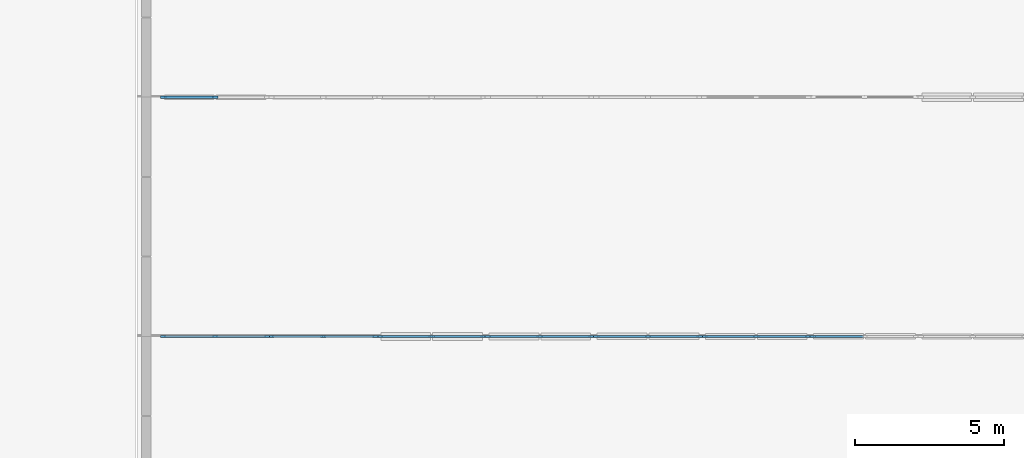
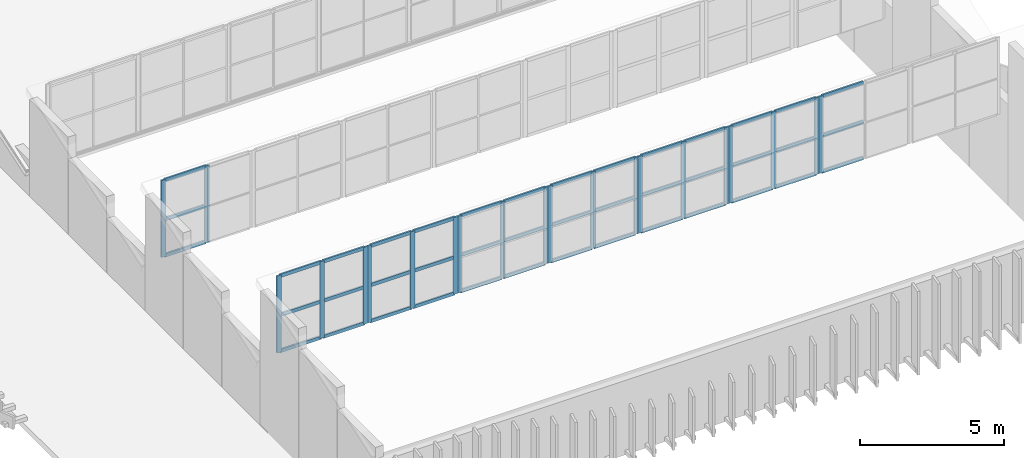
# One storey, part 4 of 45: 63 members, 8 elements without a shape of their own.
"""IFC4 building model written with IfcOpenShell, lengths in metres."""

from ifc_helpers import new_model, si_unit, direction, frame, origin, origin_2d, place, context, subcontext, project, spatial, rectangle, extrude, material, layer, layer_set, material_profile, profile_set, type_object, element, aggregate, save


model = new_model("IFC4")

# Units and contexts
model_context = context("Model", 3, precision=1e-05, world=origin(), true_north=direction((0.0, 1.0)))
body_context = subcontext(model_context, "Body", "Model", "MODEL_VIEW")
ifc_project = project(units=[si_unit("LENGTHUNIT", "METRE"), si_unit("AREAUNIT", "SQUARE_METRE"), si_unit("VOLUMEUNIT", "CUBIC_METRE"), si_unit("PLANEANGLEUNIT", "RADIAN"), si_unit("MASSUNIT", "GRAM", prefix="KILO")], contexts=[model_context])

# Site, building, storey
site_placement = place(None, origin())
site = spatial("IfcSite", under=ifc_project, at=site_placement, CompositionType="ELEMENT")
building_placement = place(site_placement, origin())
building = spatial("IfcBuilding", under=site, at=building_placement, Name="Cinchona Park Media Centre", CompositionType="ELEMENT")
storey_placement = place(building_placement, frame((0.0, 0.0, 20.39990234375)))
storey = spatial("IfcBuildingStorey", under=building, at=storey_placement, Name="L04", CompositionType="ELEMENT", Elevation=20.39990234375)

# Curtain wall, member
ifc_material_1 = material(Name="Aluminium Curtain Wall Framing", Category="aluminium")
ifc_layer = layer(ifc_material_1, 0.31494140625)
ifc_layer_set = layer_set([ifc_layer], Name="Aluminium Curtain Wall Framing")
curtain_wall_type = type_object("IfcCurtainWallType", Name="CW-CW10", PredefinedType="USERDEFINED", material=ifc_layer_set)
curtain_wall_1_placement = place(storey_placement, origin())
curtain_wall_1 = element("IfcCurtainWall", 1, at=curtain_wall_1_placement, inside=storey, type_object=curtain_wall_type, Name="North-Light Sawtooth Clerestory V1 Bay 1.2 CW10 L04", ObjectType="UNITISED CURTAIN WALL", PredefinedType="USERDEFINED")
ifc_material_2 = material(Name="Anodised Aluminium Alloy 6063-T6", Category="aluminium")
ifc_material_profile_1 = material_profile(ifc_material_2, rectangle(XDim=0.070068359375, YDim=0.179931640625, at=origin_2d()), Name="MUL-70X180")
ifc_profile_set_1 = profile_set([ifc_material_profile_1], Name="Anodised Aluminium Alloy 6063-T6")
member_type_1 = type_object("IfcMemberType", Name="MULLION-MUL02", PredefinedType="MULLION", material=ifc_profile_set_1)
member_1_placement = place(storey_placement, frame((37.695068359375, 15.60009765625, 2.580078125), z_axis=(0.0, 0.0, 1.0), x_axis=(0.0, -1.0, 0.0)))
member_1 = element("IfcMember", 2, at=member_1_placement, type_object=member_type_1, Name="CW10 mullion 3", PredefinedType="MULLION", context=body_context, shape_type="SweptSolid", body=[
    extrude(rectangle(XDim=0.070068359375, YDim=0.179931640625, at=origin_2d()), origin(), (0.0, 0.0, 1.0), 3.257080078125),
])

# Curtain wall, members
curtain_wall_2_placement = place(storey_placement, origin())
curtain_wall_2 = element("IfcCurtainWall", 3, at=curtain_wall_2_placement, inside=storey, type_object=curtain_wall_type, Name="North-Light Sawtooth Clerestory V1 Bay 1.3 CW10 L04", ObjectType="UNITISED CURTAIN WALL", PredefinedType="USERDEFINED")
member_2_placement = place(storey_placement, frame((37.544921875, 15.60009765625, 2.580078125), z_axis=(0.0, 0.0, 1.0), x_axis=(0.0, -1.0, 0.0)))
member_2 = element("IfcMember", 4, at=member_2_placement, type_object=member_type_1, Name="CW10 mullion 1", PredefinedType="MULLION", context=body_context, shape_type="SweptSolid", body=[
    extrude(rectangle(XDim=0.070068359375, YDim=0.179931640625, at=origin_2d()), origin(), (0.0, 0.0, 1.0), 3.257080078125),
])
member_3_placement = place(storey_placement, frame((35.81005859375, 15.60009765625, 2.580078125), z_axis=(0.0, 0.0, 1.0), x_axis=(0.0, -1.0, 0.0)))
member_3 = element("IfcMember", 5, at=member_3_placement, type_object=member_type_1, Name="CW10 mullion 2", PredefinedType="MULLION", context=body_context, shape_type="SweptSolid", body=[
    extrude(rectangle(XDim=0.070068359375, YDim=0.179931640625, at=origin_2d()), origin(), (0.0, 0.0, 1.0), 3.257080078125),
])
member_4_placement = place(storey_placement, frame((34.074951171875, 15.60009765625, 2.580078125), z_axis=(0.0, 0.0, 1.0), x_axis=(0.0, -1.0, 0.0)))
member_4 = element("IfcMember", 6, at=member_4_placement, type_object=member_type_1, Name="CW10 mullion 3", PredefinedType="MULLION", context=body_context, shape_type="SweptSolid", body=[
    extrude(rectangle(XDim=0.070068359375, YDim=0.179931640625, at=origin_2d()), origin(), (0.0, 0.0, 1.0), 3.257080078125),
])

curtain_wall_3_placement = place(storey_placement, origin())
curtain_wall_3 = element("IfcCurtainWall", 7, at=curtain_wall_3_placement, inside=storey, type_object=curtain_wall_type, Name="North-Light Sawtooth Clerestory V1 Bay 1.4 CW10 L04", ObjectType="UNITISED CURTAIN WALL", PredefinedType="USERDEFINED")
member_5_placement = place(storey_placement, frame((33.925048828125, 15.60009765625, 2.580078125), z_axis=(0.0, 0.0, 1.0), x_axis=(0.0, -1.0, 0.0)))
member_5 = element("IfcMember", 8, at=member_5_placement, type_object=member_type_1, Name="CW10 mullion 1", PredefinedType="MULLION", context=body_context, shape_type="SweptSolid", body=[
    extrude(rectangle(XDim=0.070068359375, YDim=0.179931640625, at=origin_2d()), origin(), (0.0, 0.0, 1.0), 3.257080078125),
])
member_6_placement = place(storey_placement, frame((32.18994140625, 15.60009765625, 2.580078125), z_axis=(0.0, 0.0, 1.0), x_axis=(0.0, -1.0, 0.0)))
member_6 = element("IfcMember", 9, at=member_6_placement, type_object=member_type_1, Name="CW10 mullion 2", PredefinedType="MULLION", context=body_context, shape_type="SweptSolid", body=[
    extrude(rectangle(XDim=0.070068359375, YDim=0.179931640625, at=origin_2d()), origin(), (0.0, 0.0, 1.0), 3.257080078125),
])
member_7_placement = place(storey_placement, frame((30.455078125, 15.60009765625, 2.580078125), z_axis=(0.0, 0.0, 1.0), x_axis=(0.0, -1.0, 0.0)))
member_7 = element("IfcMember", 10, at=member_7_placement, type_object=member_type_1, Name="CW10 mullion 3", PredefinedType="MULLION", context=body_context, shape_type="SweptSolid", body=[
    extrude(rectangle(XDim=0.070068359375, YDim=0.179931640625, at=origin_2d()), origin(), (0.0, 0.0, 1.0), 3.257080078125),
])

curtain_wall_4_placement = place(storey_placement, origin())
curtain_wall_4 = element("IfcCurtainWall", 11, at=curtain_wall_4_placement, inside=storey, type_object=curtain_wall_type, Name="North-Light Sawtooth Clerestory V1 Bay 1.5 CW10 L04", ObjectType="UNITISED CURTAIN WALL", PredefinedType="USERDEFINED")
member_8_placement = place(storey_placement, frame((30.304931640625, 15.60009765625, 2.580078125), z_axis=(0.0, 0.0, 1.0), x_axis=(0.0, -1.0, 0.0)))
member_8 = element("IfcMember", 12, at=member_8_placement, type_object=member_type_1, Name="CW10 mullion 1", PredefinedType="MULLION", context=body_context, shape_type="SweptSolid", body=[
    extrude(rectangle(XDim=0.070068359375, YDim=0.179931640625, at=origin_2d()), origin(), (0.0, 0.0, 1.0), 3.257080078125),
])
member_9_placement = place(storey_placement, frame((28.570068359375, 15.60009765625, 2.580078125), z_axis=(0.0, 0.0, 1.0), x_axis=(0.0, -1.0, 0.0)))
member_9 = element("IfcMember", 13, at=member_9_placement, type_object=member_type_1, Name="CW10 mullion 2", PredefinedType="MULLION", context=body_context, shape_type="SweptSolid", body=[
    extrude(rectangle(XDim=0.070068359375, YDim=0.179931640625, at=origin_2d()), origin(), (0.0, 0.0, 1.0), 3.257080078125),
])
member_10_placement = place(storey_placement, frame((26.8349609375, 15.60009765625, 2.580078125), z_axis=(0.0, 0.0, 1.0), x_axis=(0.0, -1.0, 0.0)))
member_10 = element("IfcMember", 14, at=member_10_placement, type_object=member_type_1, Name="CW10 mullion 3", PredefinedType="MULLION", context=body_context, shape_type="SweptSolid", body=[
    extrude(rectangle(XDim=0.070068359375, YDim=0.179931640625, at=origin_2d()), origin(), (0.0, 0.0, 1.0), 3.257080078125),
])

curtain_wall_5_placement = place(storey_placement, origin())
curtain_wall_5 = element("IfcCurtainWall", 15, at=curtain_wall_5_placement, inside=storey, type_object=curtain_wall_type, Name="North-Light Sawtooth Clerestory V1 Bay 1.6 CW10 L04", ObjectType="UNITISED CURTAIN WALL", PredefinedType="USERDEFINED")
member_11_placement = place(storey_placement, frame((26.68505859375, 15.60009765625, 2.580078125), z_axis=(0.0, 0.0, 1.0), x_axis=(0.0, -1.0, 0.0)))
member_11 = element("IfcMember", 16, at=member_11_placement, type_object=member_type_1, Name="CW10 mullion 1", PredefinedType="MULLION", context=body_context, shape_type="SweptSolid", body=[
    extrude(rectangle(XDim=0.070068359375, YDim=0.179931640625, at=origin_2d()), origin(), (0.0, 0.0, 1.0), 3.257080078125),
])
member_12_placement = place(storey_placement, frame((24.949951171875, 15.60009765625, 2.580078125), z_axis=(0.0, 0.0, 1.0), x_axis=(0.0, -1.0, 0.0)))
member_12 = element("IfcMember", 17, at=member_12_placement, type_object=member_type_1, Name="CW10 mullion 2", PredefinedType="MULLION", context=body_context, shape_type="SweptSolid", body=[
    extrude(rectangle(XDim=0.070068359375, YDim=0.179931640625, at=origin_2d()), origin(), (0.0, 0.0, 1.0), 3.257080078125),
])
member_13_placement = place(storey_placement, frame((23.215087890625, 15.60009765625, 2.580078125), z_axis=(0.0, 0.0, 1.0), x_axis=(0.0, -1.0, 0.0)))
member_13 = element("IfcMember", 18, at=member_13_placement, type_object=member_type_1, Name="CW10 mullion 3", PredefinedType="MULLION", context=body_context, shape_type="SweptSolid", body=[
    extrude(rectangle(XDim=0.070068359375, YDim=0.179931640625, at=origin_2d()), origin(), (0.0, 0.0, 1.0), 3.257080078125),
])

curtain_wall_6_placement = place(storey_placement, origin())
curtain_wall_6 = element("IfcCurtainWall", 19, at=curtain_wall_6_placement, inside=storey, type_object=curtain_wall_type, Name="North-Light Sawtooth Clerestory V1 Bay 1.7 CW10 L04", ObjectType="UNITISED CURTAIN WALL", PredefinedType="USERDEFINED")
member_14_placement = place(storey_placement, frame((23.06494140625, 15.60009765625, 2.580078125), z_axis=(0.0, 0.0, 1.0), x_axis=(0.0, -1.0, 0.0)))
member_14 = element("IfcMember", 20, at=member_14_placement, type_object=member_type_1, Name="CW10 mullion 1", PredefinedType="MULLION", context=body_context, shape_type="SweptSolid", body=[
    extrude(rectangle(XDim=0.070068359375, YDim=0.179931640625, at=origin_2d()), origin(), (0.0, 0.0, 1.0), 3.257080078125),
])
member_15_placement = place(storey_placement, frame((21.330078125, 15.60009765625, 2.580078125), z_axis=(0.0, 0.0, 1.0), x_axis=(0.0, -1.0, 0.0)))
member_15 = element("IfcMember", 21, at=member_15_placement, type_object=member_type_1, Name="CW10 mullion 2", PredefinedType="MULLION", context=body_context, shape_type="SweptSolid", body=[
    extrude(rectangle(XDim=0.070068359375, YDim=0.179931640625, at=origin_2d()), origin(), (0.0, 0.0, 1.0), 3.257080078125),
])
member_16_placement = place(storey_placement, frame((19.594970703125, 15.60009765625, 2.580078125), z_axis=(0.0, 0.0, 1.0), x_axis=(0.0, -1.0, 0.0)))
member_16 = element("IfcMember", 22, at=member_16_placement, type_object=member_type_1, Name="CW10 mullion 3", PredefinedType="MULLION", context=body_context, shape_type="SweptSolid", body=[
    extrude(rectangle(XDim=0.070068359375, YDim=0.179931640625, at=origin_2d()), origin(), (0.0, 0.0, 1.0), 3.257080078125),
])

curtain_wall_7_placement = place(storey_placement, origin())
curtain_wall_7 = element("IfcCurtainWall", 23, at=curtain_wall_7_placement, inside=storey, type_object=curtain_wall_type, Name="North-Light Sawtooth Clerestory V1 Bay 1.8 CW10 L04", ObjectType="UNITISED CURTAIN WALL", PredefinedType="USERDEFINED")
member_17_placement = place(storey_placement, frame((19.445068359375, 15.60009765625, 2.580078125), z_axis=(0.0, 0.0, 1.0), x_axis=(0.0, -1.0, 0.0)))
member_17 = element("IfcMember", 24, at=member_17_placement, type_object=member_type_1, Name="CW10 mullion 1", PredefinedType="MULLION", context=body_context, shape_type="SweptSolid", body=[
    extrude(rectangle(XDim=0.070068359375, YDim=0.179931640625, at=origin_2d()), origin(), (0.0, 0.0, 1.0), 3.257080078125),
])
member_18_placement = place(storey_placement, frame((17.7099609375, 15.60009765625, 2.580078125), z_axis=(0.0, 0.0, 1.0), x_axis=(0.0, -1.0, 0.0)))
member_18 = element("IfcMember", 25, at=member_18_placement, type_object=member_type_1, Name="CW10 mullion 2", PredefinedType="MULLION", context=body_context, shape_type="SweptSolid", body=[
    extrude(rectangle(XDim=0.070068359375, YDim=0.179931640625, at=origin_2d()), origin(), (0.0, 0.0, 1.0), 3.257080078125),
])
member_19_placement = place(storey_placement, frame((15.97509765625, 15.60009765625, 2.580078125), z_axis=(0.0, 0.0, 1.0), x_axis=(0.0, -1.0, 0.0)))
member_19 = element("IfcMember", 26, at=member_19_placement, type_object=member_type_1, Name="CW10 mullion 3", PredefinedType="MULLION", context=body_context, shape_type="SweptSolid", body=[
    extrude(rectangle(XDim=0.070068359375, YDim=0.179931640625, at=origin_2d()), origin(), (0.0, 0.0, 1.0), 3.257080078125),
])

curtain_wall_8_placement = place(storey_placement, origin())
curtain_wall_8 = element("IfcCurtainWall", 27, at=curtain_wall_8_placement, inside=storey, type_object=curtain_wall_type, Name="North-Light Sawtooth Clerestory V1 Bay 2.8 CW10 L04", ObjectType="UNITISED CURTAIN WALL", PredefinedType="USERDEFINED")
member_20_placement = place(storey_placement, frame((17.7099609375, 23.60009765625, 1.780029296875), z_axis=(0.0, 0.0, 1.0), x_axis=(0.0, -1.0, 0.0)))
member_20 = element("IfcMember", 28, at=member_20_placement, type_object=member_type_1, Name="CW10 mullion 2", PredefinedType="MULLION", context=body_context, shape_type="SweptSolid", body=[
    extrude(rectangle(XDim=0.070068359375, YDim=0.179931640625, at=origin_2d()), origin(), (0.0, 0.0, 1.0), 3.257080078125),
])
member_21_placement = place(storey_placement, frame((15.97509765625, 23.60009765625, 1.780029296875), z_axis=(0.0, 0.0, 1.0), x_axis=(0.0, -1.0, 0.0)))
member_21 = element("IfcMember", 29, at=member_21_placement, type_object=member_type_1, Name="CW10 mullion 3", PredefinedType="MULLION", context=body_context, shape_type="SweptSolid", body=[
    extrude(rectangle(XDim=0.070068359375, YDim=0.179931640625, at=origin_2d()), origin(), (0.0, 0.0, 1.0), 3.257080078125),
])

# Member
ifc_material_3 = material(Name="Anodised Aluminium Alloy 6063-T6", Category="aluminium")
ifc_material_profile_2 = material_profile(ifc_material_3, rectangle(XDim=0.070068359375, YDim=0.139892578125, at=origin_2d()), Name="TRN-70X140")
ifc_profile_set_2 = profile_set([ifc_material_profile_2], Name="Anodised Aluminium Alloy 6063-T6")
member_type_2 = type_object("IfcMemberType", Name="TRANSOM-TRN02", PredefinedType="USERDEFINED", material=ifc_profile_set_2)
member_22_placement = place(storey_placement, frame((39.39501953125, 15.60009765625, 2.614990234375), z_axis=(-1.0, 0.0, 0.0), x_axis=(0.0, -1.0, 0.0)))
member_22 = element("IfcMember", 30, at=member_22_placement, type_object=member_type_2, Name="CW10 transom 2.1", ObjectType="TRANSOM", PredefinedType="USERDEFINED", context=body_context, shape_type="SweptSolid", body=[
    extrude(rectangle(XDim=0.070068359375, YDim=0.139892578125, at=origin_2d()), origin(), (0.0, 0.0, 1.0), 1.6650390625),
])

member_23_placement = place(storey_placement, frame((39.39501953125, 15.60009765625, 4.14306640625), z_axis=(-1.0, 0.0, 0.0), x_axis=(0.0, -1.0, 0.0)))
member_23 = element("IfcMember", 31, at=member_23_placement, type_object=member_type_2, Name="CW10 transom 2.2", ObjectType="TRANSOM", PredefinedType="USERDEFINED", context=body_context, shape_type="SweptSolid", body=[
    extrude(rectangle(XDim=0.070068359375, YDim=0.139892578125, at=origin_2d()), origin(), (0.0, 0.0, 1.0), 1.6650390625),
])

member_24_placement = place(storey_placement, frame((39.39501953125, 15.60009765625, 5.802001953125), z_axis=(-1.0, 0.0, 0.0), x_axis=(0.0, -1.0, 0.0)))
member_24 = element("IfcMember", 32, at=member_24_placement, type_object=member_type_2, Name="CW10 transom 2.3", ObjectType="TRANSOM", PredefinedType="USERDEFINED", context=body_context, shape_type="SweptSolid", body=[
    extrude(rectangle(XDim=0.070068359375, YDim=0.139892578125, at=origin_2d()), origin(), (0.0, 0.0, 1.0), 1.6650390625),
])

aggregate(curtain_wall_1, [member_1, member_22, member_23, member_24])

member_25_placement = place(storey_placement, frame((37.510009765625, 15.60009765625, 2.614990234375), z_axis=(-1.0, 0.0, 0.0), x_axis=(0.0, -1.0, 0.0)))
member_25 = element("IfcMember", 33, at=member_25_placement, type_object=member_type_2, Name="CW10 transom 1.1", ObjectType="TRANSOM", PredefinedType="USERDEFINED", context=body_context, shape_type="SweptSolid", body=[
    extrude(rectangle(XDim=0.070068359375, YDim=0.139892578125, at=origin_2d()), origin(), (0.0, 0.0, 1.0), 1.6650390625),
])

member_26_placement = place(storey_placement, frame((37.510009765625, 15.60009765625, 4.14306640625), z_axis=(-1.0, 0.0, 0.0), x_axis=(0.0, -1.0, 0.0)))
member_26 = element("IfcMember", 34, at=member_26_placement, type_object=member_type_2, Name="CW10 transom 1.2", ObjectType="TRANSOM", PredefinedType="USERDEFINED", context=body_context, shape_type="SweptSolid", body=[
    extrude(rectangle(XDim=0.070068359375, YDim=0.139892578125, at=origin_2d()), origin(), (0.0, 0.0, 1.0), 1.6650390625),
])

member_27_placement = place(storey_placement, frame((37.510009765625, 15.60009765625, 5.802001953125), z_axis=(-1.0, 0.0, 0.0), x_axis=(0.0, -1.0, 0.0)))
member_27 = element("IfcMember", 35, at=member_27_placement, type_object=member_type_2, Name="CW10 transom 1.3", ObjectType="TRANSOM", PredefinedType="USERDEFINED", context=body_context, shape_type="SweptSolid", body=[
    extrude(rectangle(XDim=0.070068359375, YDim=0.139892578125, at=origin_2d()), origin(), (0.0, 0.0, 1.0), 1.6650390625),
])

member_28_placement = place(storey_placement, frame((35.77490234375, 15.60009765625, 2.614990234375), z_axis=(-1.0, 0.0, 0.0), x_axis=(0.0, -1.0, 0.0)))
member_28 = element("IfcMember", 36, at=member_28_placement, type_object=member_type_2, Name="CW10 transom 2.1", ObjectType="TRANSOM", PredefinedType="USERDEFINED", context=body_context, shape_type="SweptSolid", body=[
    extrude(rectangle(XDim=0.070068359375, YDim=0.139892578125, at=origin_2d()), origin(), (0.0, 0.0, 1.0), 1.664794921875),
])

member_29_placement = place(storey_placement, frame((35.77490234375, 15.60009765625, 4.14306640625), z_axis=(-1.0, 0.0, 0.0), x_axis=(0.0, -1.0, 0.0)))
member_29 = element("IfcMember", 37, at=member_29_placement, type_object=member_type_2, Name="CW10 transom 2.2", ObjectType="TRANSOM", PredefinedType="USERDEFINED", context=body_context, shape_type="SweptSolid", body=[
    extrude(rectangle(XDim=0.070068359375, YDim=0.139892578125, at=origin_2d()), origin(), (0.0, 0.0, 1.0), 1.664794921875),
])

member_30_placement = place(storey_placement, frame((35.77490234375, 15.60009765625, 5.802001953125), z_axis=(-1.0, 0.0, 0.0), x_axis=(0.0, -1.0, 0.0)))
member_30 = element("IfcMember", 38, at=member_30_placement, type_object=member_type_2, Name="CW10 transom 2.3", ObjectType="TRANSOM", PredefinedType="USERDEFINED", context=body_context, shape_type="SweptSolid", body=[
    extrude(rectangle(XDim=0.070068359375, YDim=0.139892578125, at=origin_2d()), origin(), (0.0, 0.0, 1.0), 1.664794921875),
])

aggregate(curtain_wall_2, [member_2, member_3, member_4, member_25, member_26, member_27, member_28, member_29, member_30])

member_31_placement = place(storey_placement, frame((33.889892578125, 15.60009765625, 2.614990234375), z_axis=(-1.0, 0.0, 0.0), x_axis=(0.0, -1.0, 0.0)))
member_31 = element("IfcMember", 39, at=member_31_placement, type_object=member_type_2, Name="CW10 transom 1.1", ObjectType="TRANSOM", PredefinedType="USERDEFINED", context=body_context, shape_type="SweptSolid", body=[
    extrude(rectangle(XDim=0.070068359375, YDim=0.139892578125, at=origin_2d()), origin(), (0.0, 0.0, 1.0), 1.664794921875),
])

member_32_placement = place(storey_placement, frame((33.889892578125, 15.60009765625, 4.14306640625), z_axis=(-1.0, 0.0, 0.0), x_axis=(0.0, -1.0, 0.0)))
member_32 = element("IfcMember", 40, at=member_32_placement, type_object=member_type_2, Name="CW10 transom 1.2", ObjectType="TRANSOM", PredefinedType="USERDEFINED", context=body_context, shape_type="SweptSolid", body=[
    extrude(rectangle(XDim=0.070068359375, YDim=0.139892578125, at=origin_2d()), origin(), (0.0, 0.0, 1.0), 1.664794921875),
])

member_33_placement = place(storey_placement, frame((33.889892578125, 15.60009765625, 5.802001953125), z_axis=(-1.0, 0.0, 0.0), x_axis=(0.0, -1.0, 0.0)))
member_33 = element("IfcMember", 41, at=member_33_placement, type_object=member_type_2, Name="CW10 transom 1.3", ObjectType="TRANSOM", PredefinedType="USERDEFINED", context=body_context, shape_type="SweptSolid", body=[
    extrude(rectangle(XDim=0.070068359375, YDim=0.139892578125, at=origin_2d()), origin(), (0.0, 0.0, 1.0), 1.664794921875),
])

member_34_placement = place(storey_placement, frame((32.155029296875, 15.60009765625, 2.614990234375), z_axis=(-1.0, 0.0, 0.0), x_axis=(0.0, -1.0, 0.0)))
member_34 = element("IfcMember", 42, at=member_34_placement, type_object=member_type_2, Name="CW10 transom 2.1", ObjectType="TRANSOM", PredefinedType="USERDEFINED", context=body_context, shape_type="SweptSolid", body=[
    extrude(rectangle(XDim=0.070068359375, YDim=0.139892578125, at=origin_2d()), origin(), (0.0, 0.0, 1.0), 1.6650390625),
])

member_35_placement = place(storey_placement, frame((32.155029296875, 15.60009765625, 4.14306640625), z_axis=(-1.0, 0.0, 0.0), x_axis=(0.0, -1.0, 0.0)))
member_35 = element("IfcMember", 43, at=member_35_placement, type_object=member_type_2, Name="CW10 transom 2.2", ObjectType="TRANSOM", PredefinedType="USERDEFINED", context=body_context, shape_type="SweptSolid", body=[
    extrude(rectangle(XDim=0.070068359375, YDim=0.139892578125, at=origin_2d()), origin(), (0.0, 0.0, 1.0), 1.6650390625),
])

member_36_placement = place(storey_placement, frame((32.155029296875, 15.60009765625, 5.802001953125), z_axis=(-1.0, 0.0, 0.0), x_axis=(0.0, -1.0, 0.0)))
member_36 = element("IfcMember", 44, at=member_36_placement, type_object=member_type_2, Name="CW10 transom 2.3", ObjectType="TRANSOM", PredefinedType="USERDEFINED", context=body_context, shape_type="SweptSolid", body=[
    extrude(rectangle(XDim=0.070068359375, YDim=0.139892578125, at=origin_2d()), origin(), (0.0, 0.0, 1.0), 1.6650390625),
])

aggregate(curtain_wall_3, [member_5, member_6, member_7, member_31, member_32, member_33, member_34, member_35, member_36])

member_37_placement = place(storey_placement, frame((30.27001953125, 15.60009765625, 2.614990234375), z_axis=(-1.0, 0.0, 0.0), x_axis=(0.0, -1.0, 0.0)))
member_37 = element("IfcMember", 45, at=member_37_placement, type_object=member_type_2, Name="CW10 transom 1.1", ObjectType="TRANSOM", PredefinedType="USERDEFINED", context=body_context, shape_type="SweptSolid", body=[
    extrude(rectangle(XDim=0.070068359375, YDim=0.139892578125, at=origin_2d()), origin(), (0.0, 0.0, 1.0), 1.6650390625),
])

member_38_placement = place(storey_placement, frame((30.27001953125, 15.60009765625, 4.14306640625), z_axis=(-1.0, 0.0, 0.0), x_axis=(0.0, -1.0, 0.0)))
member_38 = element("IfcMember", 46, at=member_38_placement, type_object=member_type_2, Name="CW10 transom 1.2", ObjectType="TRANSOM", PredefinedType="USERDEFINED", context=body_context, shape_type="SweptSolid", body=[
    extrude(rectangle(XDim=0.070068359375, YDim=0.139892578125, at=origin_2d()), origin(), (0.0, 0.0, 1.0), 1.6650390625),
])

member_39_placement = place(storey_placement, frame((30.27001953125, 15.60009765625, 5.802001953125), z_axis=(-1.0, 0.0, 0.0), x_axis=(0.0, -1.0, 0.0)))
member_39 = element("IfcMember", 47, at=member_39_placement, type_object=member_type_2, Name="CW10 transom 1.3", ObjectType="TRANSOM", PredefinedType="USERDEFINED", context=body_context, shape_type="SweptSolid", body=[
    extrude(rectangle(XDim=0.070068359375, YDim=0.139892578125, at=origin_2d()), origin(), (0.0, 0.0, 1.0), 1.6650390625),
])

member_40_placement = place(storey_placement, frame((28.534912109375, 15.60009765625, 2.614990234375), z_axis=(-1.0, 0.0, 0.0), x_axis=(0.0, -1.0, 0.0)))
member_40 = element("IfcMember", 48, at=member_40_placement, type_object=member_type_2, Name="CW10 transom 2.1", ObjectType="TRANSOM", PredefinedType="USERDEFINED", context=body_context, shape_type="SweptSolid", body=[
    extrude(rectangle(XDim=0.070068359375, YDim=0.139892578125, at=origin_2d()), origin(), (0.0, 0.0, 1.0), 1.664794921875),
])

member_41_placement = place(storey_placement, frame((28.534912109375, 15.60009765625, 4.14306640625), z_axis=(-1.0, 0.0, 0.0), x_axis=(0.0, -1.0, 0.0)))
member_41 = element("IfcMember", 49, at=member_41_placement, type_object=member_type_2, Name="CW10 transom 2.2", ObjectType="TRANSOM", PredefinedType="USERDEFINED", context=body_context, shape_type="SweptSolid", body=[
    extrude(rectangle(XDim=0.070068359375, YDim=0.139892578125, at=origin_2d()), origin(), (0.0, 0.0, 1.0), 1.664794921875),
])

member_42_placement = place(storey_placement, frame((28.534912109375, 15.60009765625, 5.802001953125), z_axis=(-1.0, 0.0, 0.0), x_axis=(0.0, -1.0, 0.0)))
member_42 = element("IfcMember", 50, at=member_42_placement, type_object=member_type_2, Name="CW10 transom 2.3", ObjectType="TRANSOM", PredefinedType="USERDEFINED", context=body_context, shape_type="SweptSolid", body=[
    extrude(rectangle(XDim=0.070068359375, YDim=0.139892578125, at=origin_2d()), origin(), (0.0, 0.0, 1.0), 1.664794921875),
])

aggregate(curtain_wall_4, [member_8, member_9, member_10, member_37, member_38, member_39, member_40, member_41, member_42])

member_43_placement = place(storey_placement, frame((26.64990234375, 15.60009765625, 2.614990234375), z_axis=(-1.0, 0.0, 0.0), x_axis=(0.0, -1.0, 0.0)))
member_43 = element("IfcMember", 51, at=member_43_placement, type_object=member_type_2, Name="CW10 transom 1.1", ObjectType="TRANSOM", PredefinedType="USERDEFINED", context=body_context, shape_type="SweptSolid", body=[
    extrude(rectangle(XDim=0.070068359375, YDim=0.139892578125, at=origin_2d()), origin(), (0.0, 0.0, 1.0), 1.664794921875),
])

member_44_placement = place(storey_placement, frame((26.64990234375, 15.60009765625, 4.14306640625), z_axis=(-1.0, 0.0, 0.0), x_axis=(0.0, -1.0, 0.0)))
member_44 = element("IfcMember", 52, at=member_44_placement, type_object=member_type_2, Name="CW10 transom 1.2", ObjectType="TRANSOM", PredefinedType="USERDEFINED", context=body_context, shape_type="SweptSolid", body=[
    extrude(rectangle(XDim=0.070068359375, YDim=0.139892578125, at=origin_2d()), origin(), (0.0, 0.0, 1.0), 1.664794921875),
])

member_45_placement = place(storey_placement, frame((26.64990234375, 15.60009765625, 5.802001953125), z_axis=(-1.0, 0.0, 0.0), x_axis=(0.0, -1.0, 0.0)))
member_45 = element("IfcMember", 53, at=member_45_placement, type_object=member_type_2, Name="CW10 transom 1.3", ObjectType="TRANSOM", PredefinedType="USERDEFINED", context=body_context, shape_type="SweptSolid", body=[
    extrude(rectangle(XDim=0.070068359375, YDim=0.139892578125, at=origin_2d()), origin(), (0.0, 0.0, 1.0), 1.664794921875),
])

member_46_placement = place(storey_placement, frame((24.9150390625, 15.60009765625, 2.614990234375), z_axis=(-1.0, 0.0, 0.0), x_axis=(0.0, -1.0, 0.0)))
member_46 = element("IfcMember", 54, at=member_46_placement, type_object=member_type_2, Name="CW10 transom 2.1", ObjectType="TRANSOM", PredefinedType="USERDEFINED", context=body_context, shape_type="SweptSolid", body=[
    extrude(rectangle(XDim=0.070068359375, YDim=0.139892578125, at=origin_2d()), origin(), (0.0, 0.0, 1.0), 1.6650390625),
])

member_47_placement = place(storey_placement, frame((24.9150390625, 15.60009765625, 4.14306640625), z_axis=(-1.0, 0.0, 0.0), x_axis=(0.0, -1.0, 0.0)))
member_47 = element("IfcMember", 55, at=member_47_placement, type_object=member_type_2, Name="CW10 transom 2.2", ObjectType="TRANSOM", PredefinedType="USERDEFINED", context=body_context, shape_type="SweptSolid", body=[
    extrude(rectangle(XDim=0.070068359375, YDim=0.139892578125, at=origin_2d()), origin(), (0.0, 0.0, 1.0), 1.6650390625),
])

member_48_placement = place(storey_placement, frame((24.9150390625, 15.60009765625, 5.802001953125), z_axis=(-1.0, 0.0, 0.0), x_axis=(0.0, -1.0, 0.0)))
member_48 = element("IfcMember", 56, at=member_48_placement, type_object=member_type_2, Name="CW10 transom 2.3", ObjectType="TRANSOM", PredefinedType="USERDEFINED", context=body_context, shape_type="SweptSolid", body=[
    extrude(rectangle(XDim=0.070068359375, YDim=0.139892578125, at=origin_2d()), origin(), (0.0, 0.0, 1.0), 1.6650390625),
])

aggregate(curtain_wall_5, [member_11, member_12, member_13, member_43, member_44, member_45, member_46, member_47, member_48])

member_49_placement = place(storey_placement, frame((23.030029296875, 15.60009765625, 2.614990234375), z_axis=(-1.0, 0.0, 0.0), x_axis=(0.0, -1.0, 0.0)))
member_49 = element("IfcMember", 57, at=member_49_placement, type_object=member_type_2, Name="CW10 transom 1.1", ObjectType="TRANSOM", PredefinedType="USERDEFINED", context=body_context, shape_type="SweptSolid", body=[
    extrude(rectangle(XDim=0.070068359375, YDim=0.139892578125, at=origin_2d()), origin(), (0.0, 0.0, 1.0), 1.6650390625),
])

member_50_placement = place(storey_placement, frame((23.030029296875, 15.60009765625, 4.14306640625), z_axis=(-1.0, 0.0, 0.0), x_axis=(0.0, -1.0, 0.0)))
member_50 = element("IfcMember", 58, at=member_50_placement, type_object=member_type_2, Name="CW10 transom 1.2", ObjectType="TRANSOM", PredefinedType="USERDEFINED", context=body_context, shape_type="SweptSolid", body=[
    extrude(rectangle(XDim=0.070068359375, YDim=0.139892578125, at=origin_2d()), origin(), (0.0, 0.0, 1.0), 1.6650390625),
])

member_51_placement = place(storey_placement, frame((23.030029296875, 15.60009765625, 5.802001953125), z_axis=(-1.0, 0.0, 0.0), x_axis=(0.0, -1.0, 0.0)))
member_51 = element("IfcMember", 59, at=member_51_placement, type_object=member_type_2, Name="CW10 transom 1.3", ObjectType="TRANSOM", PredefinedType="USERDEFINED", context=body_context, shape_type="SweptSolid", body=[
    extrude(rectangle(XDim=0.070068359375, YDim=0.139892578125, at=origin_2d()), origin(), (0.0, 0.0, 1.0), 1.6650390625),
])

member_52_placement = place(storey_placement, frame((21.294921875, 15.60009765625, 2.614990234375), z_axis=(-1.0, 0.0, 0.0), x_axis=(0.0, -1.0, 0.0)))
member_52 = element("IfcMember", 60, at=member_52_placement, type_object=member_type_2, Name="CW10 transom 2.1", ObjectType="TRANSOM", PredefinedType="USERDEFINED", context=body_context, shape_type="SweptSolid", body=[
    extrude(rectangle(XDim=0.070068359375, YDim=0.139892578125, at=origin_2d()), origin(), (0.0, 0.0, 1.0), 1.6650390625),
])

member_53_placement = place(storey_placement, frame((21.294921875, 15.60009765625, 4.14306640625), z_axis=(-1.0, 0.0, 0.0), x_axis=(0.0, -1.0, 0.0)))
member_53 = element("IfcMember", 61, at=member_53_placement, type_object=member_type_2, Name="CW10 transom 2.2", ObjectType="TRANSOM", PredefinedType="USERDEFINED", context=body_context, shape_type="SweptSolid", body=[
    extrude(rectangle(XDim=0.070068359375, YDim=0.139892578125, at=origin_2d()), origin(), (0.0, 0.0, 1.0), 1.6650390625),
])

member_54_placement = place(storey_placement, frame((21.294921875, 15.60009765625, 5.802001953125), z_axis=(-1.0, 0.0, 0.0), x_axis=(0.0, -1.0, 0.0)))
member_54 = element("IfcMember", 62, at=member_54_placement, type_object=member_type_2, Name="CW10 transom 2.3", ObjectType="TRANSOM", PredefinedType="USERDEFINED", context=body_context, shape_type="SweptSolid", body=[
    extrude(rectangle(XDim=0.070068359375, YDim=0.139892578125, at=origin_2d()), origin(), (0.0, 0.0, 1.0), 1.6650390625),
])

aggregate(curtain_wall_6, [member_14, member_15, member_16, member_49, member_50, member_51, member_52, member_53, member_54])

member_55_placement = place(storey_placement, frame((19.409912109375, 15.60009765625, 2.614990234375), z_axis=(-1.0, 0.0, 0.0), x_axis=(0.0, -1.0, 0.0)))
member_55 = element("IfcMember", 63, at=member_55_placement, type_object=member_type_2, Name="CW10 transom 1.1", ObjectType="TRANSOM", PredefinedType="USERDEFINED", context=body_context, shape_type="SweptSolid", body=[
    extrude(rectangle(XDim=0.070068359375, YDim=0.139892578125, at=origin_2d()), origin(), (0.0, 0.0, 1.0), 1.664794921875),
])

member_56_placement = place(storey_placement, frame((19.409912109375, 15.60009765625, 4.14306640625), z_axis=(-1.0, 0.0, 0.0), x_axis=(0.0, -1.0, 0.0)))
member_56 = element("IfcMember", 64, at=member_56_placement, type_object=member_type_2, Name="CW10 transom 1.2", ObjectType="TRANSOM", PredefinedType="USERDEFINED", context=body_context, shape_type="SweptSolid", body=[
    extrude(rectangle(XDim=0.070068359375, YDim=0.139892578125, at=origin_2d()), origin(), (0.0, 0.0, 1.0), 1.664794921875),
])

member_57_placement = place(storey_placement, frame((19.409912109375, 15.60009765625, 5.802001953125), z_axis=(-1.0, 0.0, 0.0), x_axis=(0.0, -1.0, 0.0)))
member_57 = element("IfcMember", 65, at=member_57_placement, type_object=member_type_2, Name="CW10 transom 1.3", ObjectType="TRANSOM", PredefinedType="USERDEFINED", context=body_context, shape_type="SweptSolid", body=[
    extrude(rectangle(XDim=0.070068359375, YDim=0.139892578125, at=origin_2d()), origin(), (0.0, 0.0, 1.0), 1.664794921875),
])

member_58_placement = place(storey_placement, frame((17.675048828125, 15.60009765625, 2.614990234375), z_axis=(-1.0, 0.0, 0.0), x_axis=(0.0, -1.0, 0.0)))
member_58 = element("IfcMember", 66, at=member_58_placement, type_object=member_type_2, Name="CW10 transom 2.1", ObjectType="TRANSOM", PredefinedType="USERDEFINED", context=body_context, shape_type="SweptSolid", body=[
    extrude(rectangle(XDim=0.070068359375, YDim=0.139892578125, at=origin_2d()), origin(), (0.0, 0.0, 1.0), 1.6650390625),
])

member_59_placement = place(storey_placement, frame((17.675048828125, 15.60009765625, 4.14306640625), z_axis=(-1.0, 0.0, 0.0), x_axis=(0.0, -1.0, 0.0)))
member_59 = element("IfcMember", 67, at=member_59_placement, type_object=member_type_2, Name="CW10 transom 2.2", ObjectType="TRANSOM", PredefinedType="USERDEFINED", context=body_context, shape_type="SweptSolid", body=[
    extrude(rectangle(XDim=0.070068359375, YDim=0.139892578125, at=origin_2d()), origin(), (0.0, 0.0, 1.0), 1.6650390625),
])

member_60_placement = place(storey_placement, frame((17.675048828125, 15.60009765625, 5.802001953125), z_axis=(-1.0, 0.0, 0.0), x_axis=(0.0, -1.0, 0.0)))
member_60 = element("IfcMember", 68, at=member_60_placement, type_object=member_type_2, Name="CW10 transom 2.3", ObjectType="TRANSOM", PredefinedType="USERDEFINED", context=body_context, shape_type="SweptSolid", body=[
    extrude(rectangle(XDim=0.070068359375, YDim=0.139892578125, at=origin_2d()), origin(), (0.0, 0.0, 1.0), 1.6650390625),
])

aggregate(curtain_wall_7, [member_17, member_18, member_19, member_55, member_56, member_57, member_58, member_59, member_60])

member_61_placement = place(storey_placement, frame((17.675048828125, 23.60009765625, 1.815185546875), z_axis=(-1.0, 0.0, 0.0), x_axis=(0.0, -1.0, 0.0)))
member_61 = element("IfcMember", 69, at=member_61_placement, type_object=member_type_2, Name="CW10 transom 2.1", ObjectType="TRANSOM", PredefinedType="USERDEFINED", context=body_context, shape_type="SweptSolid", body=[
    extrude(rectangle(XDim=0.070068359375, YDim=0.139892578125, at=origin_2d()), origin(), (0.0, 0.0, 1.0), 1.6650390625),
])

member_62_placement = place(storey_placement, frame((17.675048828125, 23.60009765625, 3.343017578125), z_axis=(-1.0, 0.0, 0.0), x_axis=(0.0, -1.0, 0.0)))
member_62 = element("IfcMember", 70, at=member_62_placement, type_object=member_type_2, Name="CW10 transom 2.2", ObjectType="TRANSOM", PredefinedType="USERDEFINED", context=body_context, shape_type="SweptSolid", body=[
    extrude(rectangle(XDim=0.070068359375, YDim=0.139892578125, at=origin_2d()), origin(), (0.0, 0.0, 1.0), 1.6650390625),
])

member_63_placement = place(storey_placement, frame((17.675048828125, 23.60009765625, 5.002197265625), z_axis=(-1.0, 0.0, 0.0), x_axis=(0.0, -1.0, 0.0)))
member_63 = element("IfcMember", 71, at=member_63_placement, type_object=member_type_2, Name="CW10 transom 2.3", ObjectType="TRANSOM", PredefinedType="USERDEFINED", context=body_context, shape_type="SweptSolid", body=[
    extrude(rectangle(XDim=0.070068359375, YDim=0.139892578125, at=origin_2d()), origin(), (0.0, 0.0, 1.0), 1.6650390625),
])

aggregate(curtain_wall_8, [member_20, member_21, member_61, member_62, member_63])

save(model, "model.ifc")
